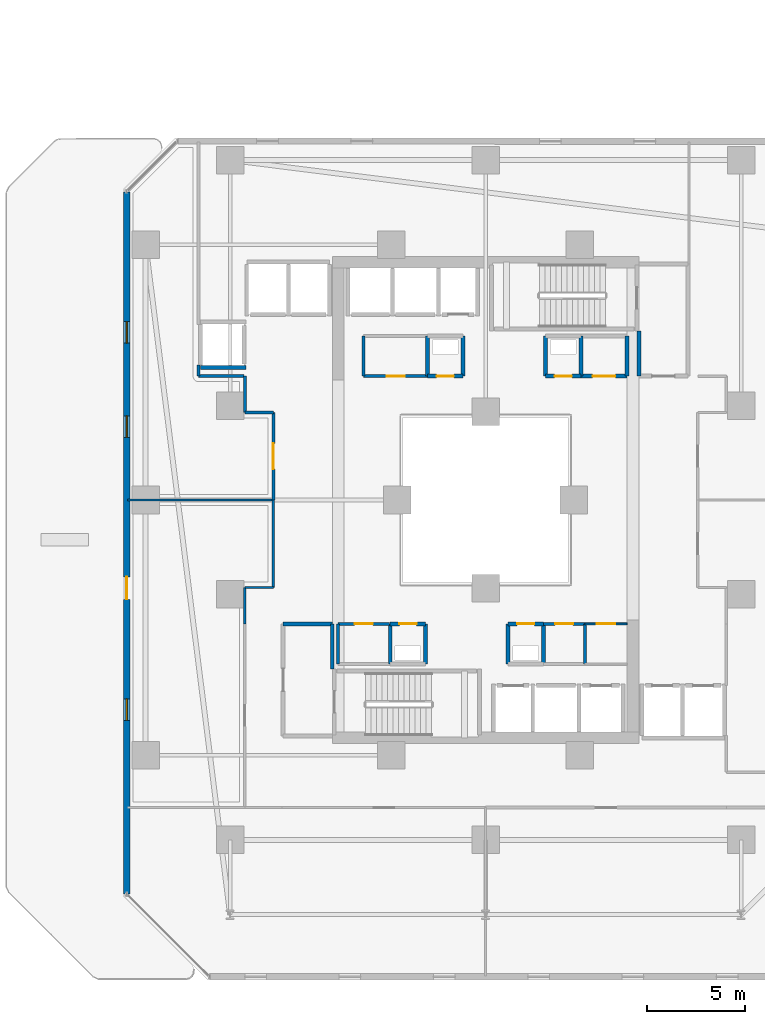
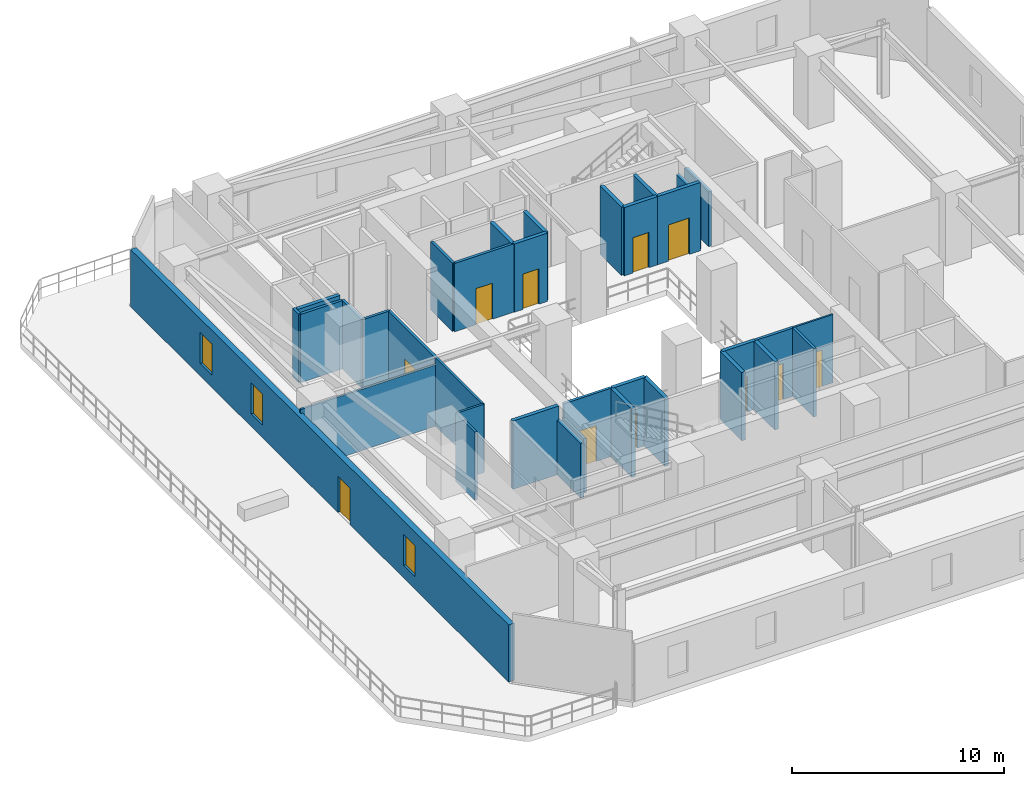
# One storey, part 20 of 33: 35 walls, 11 doors, 3 windows, 14 openings.
"""IFC4 building model written with IfcOpenShell, lengths in metres."""

from ifc_helpers import new_model, si_unit, direction, frame, frame_2d, origin, place, context, subcontext, project, spatial, rectangle, extrude, material, layer, layer_set, type_object, element, fill, save


model = new_model("IFC4")

# Units and contexts
model_context = context("Model", 3, precision=1e-05, world=origin(), true_north=direction((0.0, 1.0)))
body_context = subcontext(model_context, "Body", "Model", "MODEL_VIEW")
ifc_project = project(units=[si_unit("LENGTHUNIT", "METRE"), si_unit("AREAUNIT", "SQUARE_METRE"), si_unit("VOLUMEUNIT", "CUBIC_METRE"), si_unit("PLANEANGLEUNIT", "RADIAN"), si_unit("MASSUNIT", "GRAM", prefix="KILO")], contexts=[model_context])

# Site, building, storey
site_placement = place(None, origin())
site = spatial("IfcSite", under=ifc_project, at=site_placement, CompositionType="ELEMENT")
building_placement = place(site_placement, origin())
building = spatial("IfcBuilding", under=site, at=building_placement, Name="Thornwick Lancets Civic Towers", CompositionType="ELEMENT")
storey_placement = place(building_placement, frame((0.0, 0.0, 49.5)))
storey = spatial("IfcBuildingStorey", under=building, at=storey_placement, Name="L12", CompositionType="ELEMENT", Elevation=49.5)

# Walls
ifc_material_1 = material(Name="Concrete blockwork C40/50", Category="masonry")
ifc_layer_1 = layer(ifc_material_1, 0.199951171875, Name="Concrete blockwork C40/50")
ifc_layer_set_1 = layer_set([ifc_layer_1], Name="Concrete blockwork C40/50")
wall_type_1 = type_object("IfcWallType", Name="WALL_COMP_200", PredefinedType="STANDARD", material=ifc_layer_set_1)
wall_1_placement = place(storey_placement, frame((11.001953125, 33.75, 0.0), z_axis=(0.0, 0.0, 1.0), x_axis=(1.0, 0.0, 0.0)))
element("IfcWall", 1, at=wall_1_placement, inside=storey, type_object=wall_type_1, Name="L12 Hoistway Shaft Wall PL-AM3 S", PredefinedType="STANDARD", context=body_context, shape_type="SweptSolid", body=[
    extrude(rectangle(XDim=2.296142578125, YDim=0.199951171875, at=frame_2d((1.14794921875, 0.0))), origin(), (0.0, 0.0, 1.0), 3.93994140625),
])
wall_2_placement = place(storey_placement, frame((17.699951171875, 18.39990234375, 0.0), z_axis=(0.0, 0.0, 1.0), x_axis=(0.0, 1.0, 0.0)))
element("IfcWall", 2, at=wall_2_placement, inside=storey, type_object=wall_type_1, Name="L12 Partition L12-A-FFLOB1 E2", PredefinedType="STANDARD", context=body_context, shape_type="SweptSolid", body=[
    extrude(rectangle(XDim=2.300048828125, YDim=0.199951171875, at=frame_2d((1.14990234375, 0.0))), origin(), (0.0, 0.0, 1.0), 3.14501953125),
])
wall_3_placement = place(storey_placement, frame((17.699951171875, 20.699951171875, 0.0), z_axis=(0.0, 0.0, 1.0), x_axis=(-1.0, 0.0, 0.0)))
element("IfcWall", 3, at=wall_3_placement, inside=storey, type_object=wall_type_1, Name="L12 Partition L12-A-FFLOB1 E3", PredefinedType="STANDARD", context=body_context, shape_type="SweptSolid", body=[
    extrude(rectangle(XDim=2.5, YDim=0.199951171875, at=frame_2d((1.25, 0.0))), origin(), (0.0, 0.0, 1.0), 3.93994140625),
])
wall_4_placement = place(storey_placement, frame((33.300048828125, 35.60009765625, 0.0), z_axis=(0.0, 0.0, 1.0), x_axis=(0.0, -1.0, 0.0)))
element("IfcWall", 4, at=wall_4_placement, inside=storey, type_object=wall_type_1, Name="L12 Partition L12-A-FFLOB2 E4", PredefinedType="STANDARD", context=body_context, shape_type="SweptSolid", body=[
    extrude(rectangle(XDim=2.300048828125, YDim=0.199951171875, at=frame_2d((1.14990234375, 0.0))), origin(), (0.0, 0.0, 1.0), 3.14501953125),
])
wall_5_placement = place(storey_placement, frame((28.449951171875, 18.64990234375, 0.0), z_axis=(0.0, 0.0, 1.0), x_axis=(0.0, 1.0, 0.0)))
element("IfcWall", 5, at=wall_5_placement, inside=storey, type_object=wall_type_1, Name="L12 Partition L12-A-DUCT1 E2", PredefinedType="STANDARD", context=body_context, shape_type="SweptSolid", body=[
    extrude(rectangle(XDim=2.050048828125, YDim=0.199951171875, at=frame_2d((1.02490234375, 0.0))), origin(), (0.0, 0.0, 1.0), 3.93994140625),
])

# Wall, opening, door
wall_6_placement = place(storey_placement, frame((28.449951171875, 20.699951171875, 0.0), z_axis=(0.0, 0.0, 1.0), x_axis=(-1.0, 0.0, 0.0)))
wall_6 = element("IfcWall", 6, at=wall_6_placement, inside=storey, type_object=wall_type_1, Name="L12 Partition L12-A-DUCT1 E3", PredefinedType="STANDARD", context=body_context, shape_type="SweptSolid", body=[
    extrude(rectangle(XDim=1.800048828125, YDim=0.199951171875, at=frame_2d((0.89990234375, 0.0))), origin(), (0.0, 0.0, 1.0), 3.93994140625),
])
opening_1_placement = place(wall_6_placement, frame((0.4599609375, 0.0, 0.0)))
opening_1 = element("IfcOpeningElement", 7, at=opening_1_placement, cuts=wall_6, Name="Opening D-L12-0589", PredefinedType="OPENING", context=body_context, shape_type="SweptSolid", body=[
    extrude(rectangle(XDim=0.8798828125, YDim=2.0400390625, at=frame_2d((0.43994140625, 1.02001953125))), frame((0.0, 0.10986328125, 0.0), z_axis=(0.0, -1.0, 0.0), x_axis=(1.0, 0.0, 0.0)), (0.0, 0.0, 1.0), 0.219970703125),
])
ifc_material_2 = material(Name="Steel riser access doorset", Category="steel")
door_type_1 = type_object("IfcDoorType", Name="DOOR_RISER_850", OperationType="NOTDEFINED", PredefinedType="DOOR", material=ifc_material_2)
door_1_placement = place(opening_1_placement, origin())
door_1 = element("IfcDoor", 8, at=door_1_placement, inside=storey, type_object=door_type_1, Name="L12 South Service Duct 1 Door", OperationType="SINGLE_SWING_RIGHT", OverallHeight=2.0400390625, OverallWidth=0.8798828125, PredefinedType="DOOR", context=body_context, shape_type="SweptSolid", body=[
    extrude(rectangle(XDim=0.8798828125, YDim=2.0400390625, at=frame_2d((0.43994140625, 1.02001953125))), frame((0.0, 0.02490234375, 0.0), z_axis=(0.0, -1.0, 0.0), x_axis=(1.0, 0.0, 0.0)), (0.0, 0.0, 1.0), 0.050048828125),
])
fill(opening_1, door_1)

# Walls
for number, where, z_axis, x_axis, name in (
    (9, (26.64990234375, 20.699951171875, 0.0), (0.0, 0.0, 1.0), (0.0, -1.0, 0.0), "L12 Partition L12-A-DUCT1 E4"),
    (10, (22.449951171875, 18.64990234375, 0.0), (0.0, 0.0, 1.0), (0.0, 1.0, 0.0), "L12 Partition L12-A-RISER1 E2"),
):
    element("IfcWall", number, at=place(storey_placement, frame(where, z_axis=z_axis, x_axis=x_axis)), inside=storey, type_object=wall_type_1, Name=name, PredefinedType="STANDARD", context=body_context, shape_type="SweptSolid", body=[
        extrude(rectangle(XDim=2.050048828125, YDim=0.199951171875, at=frame_2d((1.02490234375, 0.0))), origin(), (0.0, 0.0, 1.0), 3.93994140625),
    ])

# Wall, opening, door
wall_7_placement = place(storey_placement, frame((22.449951171875, 20.699951171875, 0.0), z_axis=(0.0, 0.0, 1.0), x_axis=(-1.0, 0.0, 0.0)))
wall_7 = element("IfcWall", 11, at=wall_7_placement, inside=storey, type_object=wall_type_1, Name="L12 Partition L12-A-RISER1 E3", PredefinedType="STANDARD", context=body_context, shape_type="SweptSolid", body=[
    extrude(rectangle(XDim=1.800048828125, YDim=0.199951171875, at=frame_2d((0.89990234375, 0.0))), origin(), (0.0, 0.0, 1.0), 3.93994140625),
])
opening_2_placement = place(wall_7_placement, frame((0.4599609375, 0.0, 0.0)))
opening_2 = element("IfcOpeningElement", 12, at=opening_2_placement, cuts=wall_7, Name="Opening D-L12-0590", PredefinedType="OPENING", context=body_context, shape_type="SweptSolid", body=[
    extrude(rectangle(XDim=0.8798828125, YDim=2.0400390625, at=frame_2d((0.43994140625, 1.02001953125))), frame((0.0, 0.10986328125, 0.0), z_axis=(0.0, -1.0, 0.0), x_axis=(1.0, 0.0, 0.0)), (0.0, 0.0, 1.0), 0.219970703125),
])
door_2_placement = place(opening_2_placement, origin())
door_2 = element("IfcDoor", 13, at=door_2_placement, inside=storey, type_object=door_type_1, Name="L12 South Electrical Riser 1 Door", OperationType="SINGLE_SWING_LEFT", OverallHeight=2.0400390625, OverallWidth=0.8798828125, PredefinedType="DOOR", context=body_context, shape_type="SweptSolid", body=[
    extrude(rectangle(XDim=0.8798828125, YDim=2.0400390625, at=frame_2d((0.43994140625, 1.02001953125))), frame((0.0, 0.02490234375, 0.0), z_axis=(0.0, -1.0, 0.0), x_axis=(1.0, 0.0, 0.0)), (0.0, 0.0, 1.0), 0.050048828125),
])
fill(opening_2, door_2)

# Wall
wall_8_placement = place(storey_placement, frame((20.64990234375, 20.699951171875, 0.0), z_axis=(0.0, 0.0, 1.0), x_axis=(0.0, -1.0, 0.0)))
element("IfcWall", 14, at=wall_8_placement, inside=storey, type_object=wall_type_1, Name="L12 Partition L12-A-RISER1 E4", PredefinedType="STANDARD", context=body_context, shape_type="SweptSolid", body=[
    extrude(rectangle(XDim=2.050048828125, YDim=0.199951171875, at=frame_2d((1.02490234375, 0.0))), origin(), (0.0, 0.0, 1.0), 3.93994140625),
])

# Wall, opening, door
wall_9_placement = place(storey_placement, frame((22.550048828125, 33.300048828125, 0.0), z_axis=(0.0, 0.0, 1.0), x_axis=(1.0, 0.0, 0.0)))
wall_9 = element("IfcWall", 15, at=wall_9_placement, inside=storey, type_object=wall_type_1, Name="L12 Partition L12-A-DUCT2 E1", PredefinedType="STANDARD", context=body_context, shape_type="SweptSolid", body=[
    extrude(rectangle(XDim=1.800048828125, YDim=0.199951171875, at=frame_2d((0.89990234375, 0.0))), origin(), (0.0, 0.0, 1.0), 3.93994140625),
])
opening_3_placement = place(wall_9_placement, frame((0.4599609375, 0.0, 0.0)))
opening_3 = element("IfcOpeningElement", 16, at=opening_3_placement, cuts=wall_9, Name="Opening D-L12-0591", PredefinedType="OPENING", context=body_context, shape_type="SweptSolid", body=[
    extrude(rectangle(XDim=0.8798828125, YDim=2.0400390625, at=frame_2d((0.43994140625, 1.02001953125))), frame((0.0, 0.10986328125, 0.0), z_axis=(0.0, -1.0, 0.0), x_axis=(1.0, 0.0, 0.0)), (0.0, 0.0, 1.0), 0.219970703125),
])
door_3_placement = place(opening_3_placement, origin())
door_3 = element("IfcDoor", 17, at=door_3_placement, inside=storey, type_object=door_type_1, Name="L12 North Service Duct 2 Door", OperationType="SINGLE_SWING_RIGHT", OverallHeight=2.0400390625, OverallWidth=0.8798828125, PredefinedType="DOOR", context=body_context, shape_type="SweptSolid", body=[
    extrude(rectangle(XDim=0.8798828125, YDim=2.0400390625, at=frame_2d((0.43994140625, 1.02001953125))), frame((0.0, 0.02490234375, 0.0), z_axis=(0.0, -1.0, 0.0), x_axis=(1.0, 0.0, 0.0)), (0.0, 0.0, 1.0), 0.050048828125),
])
fill(opening_3, door_3)

# Walls
for number, where, z_axis, x_axis, name in (
    (18, (24.35009765625, 33.300048828125, 0.0), (0.0, 0.0, 1.0), (0.0, 1.0, 0.0), "L12 Partition L12-A-DUCT2 E2"),
    (19, (22.550048828125, 35.35009765625, 0.0), (0.0, 0.0, 1.0), (0.0, -1.0, 0.0), "L12 Partition L12-A-DUCT2 E4"),
):
    element("IfcWall", number, at=place(storey_placement, frame(where, z_axis=z_axis, x_axis=x_axis)), inside=storey, type_object=wall_type_1, Name=name, PredefinedType="STANDARD", context=body_context, shape_type="SweptSolid", body=[
        extrude(rectangle(XDim=2.050048828125, YDim=0.199951171875, at=frame_2d((1.02490234375, 0.0))), origin(), (0.0, 0.0, 1.0), 3.93994140625),
    ])

# Wall, opening, door
wall_10_placement = place(storey_placement, frame((28.550048828125, 33.300048828125, 0.0), z_axis=(0.0, 0.0, 1.0), x_axis=(1.0, 0.0, 0.0)))
wall_10 = element("IfcWall", 20, at=wall_10_placement, inside=storey, type_object=wall_type_1, Name="L12 Partition L12-A-RISER2 E1", PredefinedType="STANDARD", context=body_context, shape_type="SweptSolid", body=[
    extrude(rectangle(XDim=1.800048828125, YDim=0.199951171875, at=frame_2d((0.89990234375, 0.0))), origin(), (0.0, 0.0, 1.0), 3.93994140625),
])
opening_4_placement = place(wall_10_placement, frame((0.4599609375, 0.0, 0.0)))
opening_4 = element("IfcOpeningElement", 21, at=opening_4_placement, cuts=wall_10, Name="Opening D-L12-0592", PredefinedType="OPENING", context=body_context, shape_type="SweptSolid", body=[
    extrude(rectangle(XDim=0.8798828125, YDim=2.0400390625, at=frame_2d((0.43994140625, 1.02001953125))), frame((0.0, 0.10986328125, 0.0), z_axis=(0.0, -1.0, 0.0), x_axis=(1.0, 0.0, 0.0)), (0.0, 0.0, 1.0), 0.219970703125),
])
door_4_placement = place(opening_4_placement, origin())
door_4 = element("IfcDoor", 22, at=door_4_placement, inside=storey, type_object=door_type_1, Name="L12 North Service Riser 2 Door", OperationType="SINGLE_SWING_LEFT", OverallHeight=2.0400390625, OverallWidth=0.8798828125, PredefinedType="DOOR", context=body_context, shape_type="SweptSolid", body=[
    extrude(rectangle(XDim=0.8798828125, YDim=2.0400390625, at=frame_2d((0.43994140625, 1.02001953125))), frame((0.0, 0.02490234375, 0.0), z_axis=(0.0, -1.0, 0.0), x_axis=(1.0, 0.0, 0.0)), (0.0, 0.0, 1.0), 0.050048828125),
])
fill(opening_4, door_4)

# Walls
for number, where, z_axis, x_axis, name in (
    (23, (30.35009765625, 33.300048828125, 0.0), (0.0, 0.0, 1.0), (0.0, 1.0, 0.0), "L12 Partition L12-A-RISER2 E2"),
    (24, (28.550048828125, 35.35009765625, 0.0), (0.0, 0.0, 1.0), (0.0, -1.0, 0.0), "L12 Partition L12-A-RISER2 E4"),
):
    element("IfcWall", number, at=place(storey_placement, frame(where, z_axis=z_axis, x_axis=x_axis)), inside=storey, type_object=wall_type_1, Name=name, PredefinedType="STANDARD", context=body_context, shape_type="SweptSolid", body=[
        extrude(rectangle(XDim=2.050048828125, YDim=0.199951171875, at=frame_2d((1.02490234375, 0.0))), origin(), (0.0, 0.0, 1.0), 3.93994140625),
    ])
wall_11_placement = place(storey_placement, frame((32.699951171875, 35.35009765625, 0.0), z_axis=(0.0, 0.0, 1.0), x_axis=(0.0, -1.0, 0.0)))
element("IfcWall", 25, at=wall_11_placement, inside=storey, type_object=wall_type_1, Name="L12 Partition L12-A-STR E1", PredefinedType="STANDARD", context=body_context, shape_type="SweptSolid", body=[
    extrude(rectangle(XDim=2.050048828125, YDim=0.199951171875, at=frame_2d((1.02490234375, 0.0))), origin(), (0.0, 0.0, 1.0), 3.14501953125),
])

# Wall, opening, door
wall_12_placement = place(storey_placement, frame((32.699951171875, 33.300048828125, 0.0), z_axis=(0.0, 0.0, 1.0), x_axis=(-1.0, 0.0, 0.0)))
wall_12 = element("IfcWall", 26, at=wall_12_placement, inside=storey, type_object=wall_type_1, Name="L12 Partition L12-A-STR E2", PredefinedType="STANDARD", context=body_context, shape_type="SweptSolid", body=[
    extrude(rectangle(XDim=2.349853515625, YDim=0.199951171875, at=frame_2d((1.1748046875, 0.0))), origin(), (0.0, 0.0, 1.0), 3.93994140625),
])
opening_5_placement = place(wall_12_placement, frame((0.60009765625, 0.0, 0.0)))
opening_5 = element("IfcOpeningElement", 27, at=opening_5_placement, cuts=wall_12, Name="Opening D-L12-0597", PredefinedType="OPENING", context=body_context, shape_type="SweptSolid", body=[
    extrude(rectangle(XDim=1.14990234375, YDim=2.10009765625, at=frame_2d((0.574951171875, 1.050048828125))), frame((0.0, 0.10986328125, 0.0), z_axis=(0.0, -1.0, 0.0), x_axis=(1.0, 0.0, 0.0)), (0.0, 0.0, 1.0), 0.219970703125),
])
ifc_material_3 = material(Name="Glazed fire-resisting steel", Category="steel")
door_type_2 = type_object("IfcDoorType", Name="DOOR_LOBBY_FD60", OperationType="NOTDEFINED", PredefinedType="DOOR", material=ifc_material_3)
door_5_placement = place(opening_5_placement, origin())
door_5 = element("IfcDoor", 28, at=door_5_placement, inside=storey, type_object=door_type_2, Name="L12 Tower A Core Equipment Store Door", OperationType="SINGLE_SWING_RIGHT", OverallHeight=2.10009765625, OverallWidth=1.14990234375, PredefinedType="DOOR", context=body_context, shape_type="SweptSolid", body=[
    extrude(rectangle(XDim=1.14990234375, YDim=2.10009765625, at=frame_2d((0.574951171875, 1.050048828125))), frame((0.0, 0.02490234375, 0.0), z_axis=(0.0, -1.0, 0.0), x_axis=(1.0, 0.0, 0.0)), (0.0, 0.0, 1.0), 0.050048828125),
])
fill(opening_5, door_5)

# Wall, openings, door, windows
ifc_material_4 = material(Name="Insulated buff terracotta rainscreen on concrete C40/50", Category="masonry")
ifc_layer_2 = layer(ifc_material_4, 0.320068359375, Name="Insulated buff terracotta rainscreen on concrete C40/50")
ifc_layer_set_2 = layer_set([ifc_layer_2], Name="Insulated buff terracotta rainscreen on concrete C40/50")
wall_type_2 = type_object("IfcWallType", Name="WALL_EXT_TERRA_320", PredefinedType="STANDARD", material=ifc_layer_set_2)
wall_13_placement = place(storey_placement, frame((7.235107421875, 42.68115234375, 0.0), z_axis=(0.0, 0.0, 1.0), x_axis=(0.000150313265, -0.999999988703, 0.0)))
wall_13 = element("IfcWall", 29, at=wall_13_placement, inside=storey, type_object=wall_type_2, Name="L12 Tower A Terracotta Facade Wall E6", PredefinedType="STANDARD", context=body_context, shape_type="SweptSolid", body=[
    extrude(rectangle(XDim=35.732666015625, YDim=0.320068359375, at=frame_2d((17.8662109375, 0.0))), origin(), (0.0, 0.0, 1.0), 3.300048828125),
])
opening_6_placement = place(wall_13_placement, frame((19.59130859375, 0.0, 0.0)))
opening_6 = element("IfcOpeningElement", 30, at=opening_6_placement, cuts=wall_13, Name="Opening D-SG-L12-A6", PredefinedType="OPENING", context=body_context, shape_type="SweptSolid", body=[
    extrude(rectangle(XDim=1.14990234375, YDim=2.10009765625, at=frame_2d((0.574951171875, 1.050048828125))), frame((0.0, 0.169921875, 0.0), z_axis=(0.0, -1.0, 0.0), x_axis=(1.0, 0.0, 0.0)), (0.0, 0.0, 1.0), 0.340087890625),
])
opening_7_placement = place(wall_13_placement, frame((6.60009765625, 0.0, 0.719970703125)))
opening_7 = element("IfcOpeningElement", 31, at=opening_7_placement, cuts=wall_13, Name="Opening WL-02", PredefinedType="OPENING", context=body_context, shape_type="SweptSolid", body=[
    extrude(rectangle(XDim=1.10009765625, YDim=1.800048828125, at=frame_2d((0.550048828125, 0.89990234375))), frame((0.0, 0.169921875, 0.0), z_axis=(0.0, -1.0, 0.0), x_axis=(1.0, 0.0, 0.0)), (0.0, 0.0, 1.0), 0.340087890625),
])
opening_8_placement = place(wall_13_placement, frame((11.39990234375, 0.0, 0.719970703125)))
opening_8 = element("IfcOpeningElement", 32, at=opening_8_placement, cuts=wall_13, Name="Opening WL-02", PredefinedType="OPENING", context=body_context, shape_type="SweptSolid", body=[
    extrude(rectangle(XDim=1.10009765625, YDim=1.800048828125, at=frame_2d((0.550048828125, 0.89990234375))), frame((0.0, 0.169921875, 0.0), z_axis=(0.0, -1.0, 0.0), x_axis=(1.0, 0.0, 0.0)), (0.0, 0.0, 1.0), 0.340087890625),
])
opening_9_placement = place(wall_13_placement, frame((25.800048828125, 0.0, 0.719970703125)))
opening_9 = element("IfcOpeningElement", 33, at=opening_9_placement, cuts=wall_13, Name="Opening WL-02", PredefinedType="OPENING", context=body_context, shape_type="SweptSolid", body=[
    extrude(rectangle(XDim=1.10009765625, YDim=1.800048828125, at=frame_2d((0.550048828125, 0.89990234375))), frame((0.0, 0.169921875, 0.0), z_axis=(0.0, -1.0, 0.0), x_axis=(1.0, 0.0, 0.0)), (0.0, 0.0, 1.0), 0.340087890625),
])
ifc_material_5 = material(Name="Thermally broken glazed terrace doorset")
door_type_3 = type_object("IfcDoorType", Name="DOOR_TERRACE_1200", OperationType="NOTDEFINED", PredefinedType="DOOR", material=ifc_material_5)
door_6_placement = place(opening_6_placement, origin())
door_6 = element("IfcDoor", 34, at=door_6_placement, inside=storey, type_object=door_type_3, Name="L12 Tower A Sky-Garden Terrace Door", OperationType="SINGLE_SWING_RIGHT", OverallHeight=2.10009765625, OverallWidth=1.14990234375, PredefinedType="DOOR", context=body_context, shape_type="SweptSolid", body=[
    extrude(rectangle(XDim=1.14990234375, YDim=2.10009765625, at=frame_2d((0.574951171875, 1.050048828125))), frame((0.0, 0.02490234375, 0.0), z_axis=(0.0, -1.0, 0.0), x_axis=(1.0, 0.0, 0.0)), (0.0, 0.0, 1.0), 0.050048828125),
])
fill(opening_6, door_6)
ifc_material_6 = material(Name="Clear low-e double glazing in bronze frame", Category="glass")
window_type = type_object("IfcWindowType", Name="WIN_LANCET_1100", PartitioningType="SINGLE_PANEL", PredefinedType="WINDOW", material=ifc_material_6)
window_1_placement = place(opening_7_placement, origin())
window_1 = element("IfcWindow", 35, at=window_1_placement, inside=storey, type_object=window_type, Name="L12 Tower A Staggered Lancet Window E6-1", OverallHeight=1.800048828125, OverallWidth=1.10009765625, PartitioningType="SINGLE_PANEL", PredefinedType="WINDOW", context=body_context, shape_type="SweptSolid", body=[
    extrude(rectangle(XDim=1.10009765625, YDim=1.800048828125, at=frame_2d((0.550048828125, 0.89990234375))), frame((0.0, 0.030029296875, 0.0), z_axis=(0.0, -1.0, 0.0), x_axis=(1.0, 0.0, 0.0)), (0.0, 0.0, 1.0), 0.06005859375),
])
fill(opening_7, window_1)
window_2_placement = place(opening_8_placement, origin())
window_2 = element("IfcWindow", 36, at=window_2_placement, inside=storey, type_object=window_type, Name="L12 Tower A Staggered Lancet Window E6-2", OverallHeight=1.800048828125, OverallWidth=1.10009765625, PartitioningType="SINGLE_PANEL", PredefinedType="WINDOW", context=body_context, shape_type="SweptSolid", body=[
    extrude(rectangle(XDim=1.10009765625, YDim=1.800048828125, at=frame_2d((0.550048828125, 0.89990234375))), frame((0.0, 0.030029296875, 0.0), z_axis=(0.0, -1.0, 0.0), x_axis=(1.0, 0.0, 0.0)), (0.0, 0.0, 1.0), 0.06005859375),
])
fill(opening_8, window_2)
window_3_placement = place(opening_9_placement, origin())
window_3 = element("IfcWindow", 37, at=window_3_placement, inside=storey, type_object=window_type, Name="L12 Tower A Staggered Lancet Window E6-3", OverallHeight=1.800048828125, OverallWidth=1.10009765625, PartitioningType="SINGLE_PANEL", PredefinedType="WINDOW", context=body_context, shape_type="SweptSolid", body=[
    extrude(rectangle(XDim=1.10009765625, YDim=1.800048828125, at=frame_2d((0.550048828125, 0.89990234375))), frame((0.0, 0.030029296875, 0.0), z_axis=(0.0, -1.0, 0.0), x_axis=(1.0, 0.0, 0.0)), (0.0, 0.0, 1.0), 0.06005859375),
])
fill(opening_9, window_3)

# Wall, opening, door
ifc_material_7 = material(Name="Lightweight cellular office partition")
ifc_layer_3 = layer(ifc_material_7, 0.10009765625, Name="Lightweight cellular office partition")
ifc_layer_set_3 = layer_set([ifc_layer_3], Name="Lightweight cellular office partition")
wall_type_3 = type_object("IfcWallType", Name="WALL_PART_100", PredefinedType="PARTITIONING", material=ifc_layer_set_3)
wall_14_placement = place(storey_placement, frame((30.550048828125, 20.699951171875, 0.0), z_axis=(0.0, 0.0, 1.0), x_axis=(1.0, 0.0, 0.0)))
wall_14 = element("IfcWall", 38, at=wall_14_placement, inside=storey, type_object=wall_type_3, Name="L12 Partition L12-A-CLN E4", PredefinedType="PARTITIONING", context=body_context, shape_type="SweptSolid", body=[
    extrude(rectangle(XDim=2.14990234375, YDim=0.10009765625, at=frame_2d((1.074951171875, 0.0))), origin(), (0.0, 0.0, 1.0), 3.93994140625),
])
opening_10_placement = place(wall_14_placement, frame((0.60009765625, 0.0, 0.0)))
opening_10 = element("IfcOpeningElement", 39, at=opening_10_placement, cuts=wall_14, Name="Opening D-L12-0595", PredefinedType="OPENING", context=body_context, shape_type="SweptSolid", body=[
    extrude(rectangle(XDim=0.949951171875, YDim=2.10009765625, at=frame_2d((0.47509765625, 1.050048828125))), frame((0.0, 0.06005859375, 0.0), z_axis=(0.0, -1.0, 0.0), x_axis=(1.0, 0.0, 0.0)), (0.0, 0.0, 1.0), 0.1201171875),
])
ifc_material_8 = material(Name="European oak acoustic doorset")
door_type_4 = type_object("IfcDoorType", Name="DOOR_OFFICE_950", OperationType="NOTDEFINED", PredefinedType="DOOR", material=ifc_material_8)
door_7_placement = place(opening_10_placement, origin())
door_7 = element("IfcDoor", 40, at=door_7_placement, inside=storey, type_object=door_type_4, Name="L12 Tower A Cleaners Store Door", OperationType="SINGLE_SWING_RIGHT", OverallHeight=2.10009765625, OverallWidth=0.949951171875, PredefinedType="DOOR", context=body_context, shape_type="SweptSolid", body=[
    extrude(rectangle(XDim=0.949951171875, YDim=2.10009765625, at=frame_2d((0.47509765625, 1.050048828125))), frame((0.0, 0.02490234375, 0.0), z_axis=(0.0, -1.0, 0.0), x_axis=(1.0, 0.0, 0.0)), (0.0, 0.0, 1.0), 0.050048828125),
])
fill(opening_10, door_7)

# Walls
ifc_material_9 = material(Name="Acoustic gypsum board partition")
ifc_layer_4 = layer(ifc_material_9, 0.1201171875, Name="Acoustic gypsum board partition")
ifc_layer_set_4 = layer_set([ifc_layer_4], Name="Acoustic gypsum board partition")
wall_type_4 = type_object("IfcWallType", Name="WALL_PART_120", PredefinedType="PARTITIONING", material=ifc_layer_set_4)
wall_15_placement = place(storey_placement, frame((14.699951171875, 27.0, 0.0), z_axis=(0.0, 0.0, 1.0), x_axis=(0.0, -1.0, 0.0)))
element("IfcWall", 41, at=wall_15_placement, inside=storey, type_object=wall_type_4, Name="L12 Partition L12-A-W1 E1", PredefinedType="PARTITIONING", context=body_context, shape_type="SweptSolid", body=[
    extrude(rectangle(XDim=4.449951171875, YDim=0.1201171875, at=frame_2d((2.22509765625, 0.0))), origin(), (0.0, 0.0, 1.0), 3.93994140625),
])
wall_16_placement = place(storey_placement, frame((14.699951171875, 22.550048828125, 0.0), z_axis=(0.0, 0.0, 1.0), x_axis=(-1.0, 0.0, 0.0)))
element("IfcWall", 42, at=wall_16_placement, inside=storey, type_object=wall_type_4, Name="L12 Partition L12-A-W1 E2", PredefinedType="PARTITIONING", context=body_context, shape_type="SweptSolid", body=[
    extrude(rectangle(XDim=1.449951171875, YDim=0.1201171875, at=frame_2d((0.72509765625, 0.0))), origin(), (0.0, 0.0, 1.0), 3.93994140625),
])
wall_17_placement = place(storey_placement, frame((13.25, 22.550048828125, 0.0), z_axis=(0.0, 0.0, 1.0), x_axis=(0.0, -1.0, 0.0)))
element("IfcWall", 43, at=wall_17_placement, inside=storey, type_object=wall_type_4, Name="L12 Partition L12-A-W1 E3", PredefinedType="PARTITIONING", context=body_context, shape_type="SweptSolid", body=[
    extrude(rectangle(XDim=1.85009765625, YDim=0.1201171875, at=frame_2d((0.925048828125, 0.0))), origin(), (0.0, 0.0, 1.0), 3.93994140625),
])
wall_18_placement = place(storey_placement, frame((7.280029296875, 27.0, 0.0), z_axis=(0.0, 0.0, 1.0), x_axis=(1.0, 0.0, 0.0)))
element("IfcWall", 44, at=wall_18_placement, inside=storey, type_object=wall_type_4, Name="L12 Partition L12-A-W1 E7", PredefinedType="PARTITIONING", context=body_context, shape_type="SweptSolid", body=[
    extrude(rectangle(XDim=7.419921875, YDim=0.1201171875, at=frame_2d((3.7099609375, 0.0))), origin(), (0.0, 0.0, 1.0), 3.5322265625),
])

# Wall, opening, door
ifc_material_10 = material(Name="Twin-stud acoustic gypsum board")
ifc_layer_5 = layer(ifc_material_10, 0.14990234375, Name="Twin-stud acoustic gypsum board")
ifc_layer_set_5 = layer_set([ifc_layer_5], Name="Twin-stud acoustic gypsum board")
wall_type_5 = type_object("IfcWallType", Name="WALL_PART_150", PredefinedType="PARTITIONING", material=ifc_layer_set_5)
wall_19_placement = place(storey_placement, frame((20.60009765625, 20.699951171875, 0.0), z_axis=(0.0, 0.0, 1.0), x_axis=(-1.0, 0.0, 0.0)))
wall_19 = element("IfcWall", 45, at=wall_19_placement, inside=storey, type_object=wall_type_5, Name="L12 Partition L12-A-AWC E3", PredefinedType="PARTITIONING", context=body_context, shape_type="SweptSolid", body=[
    extrude(rectangle(XDim=2.60009765625, YDim=0.14990234375, at=frame_2d((1.300048828125, 0.0))), origin(), (0.0, 0.0, 1.0), 3.93994140625),
])
opening_11_placement = place(wall_19_placement, frame((0.840087890625, 0.0, 0.0)))
opening_11 = element("IfcOpeningElement", 46, at=opening_11_placement, cuts=wall_19, Name="Opening D-L12-0593", PredefinedType="OPENING", context=body_context, shape_type="SweptSolid", body=[
    extrude(rectangle(XDim=0.919921875, YDim=2.080078125, at=frame_2d((0.4599609375, 1.0400390625))), frame((0.0, 0.0849609375, 0.0), z_axis=(0.0, -1.0, 0.0), x_axis=(1.0, 0.0, 0.0)), (0.0, 0.0, 1.0), 0.169921875),
])
ifc_material_11 = material(Name="Moisture-resistant oak doorset")
door_type_5 = type_object("IfcDoorType", Name="DOOR_WC_900", OperationType="NOTDEFINED", PredefinedType="DOOR", material=ifc_material_11)
door_8_placement = place(opening_11_placement, origin())
door_8 = element("IfcDoor", 47, at=door_8_placement, inside=storey, type_object=door_type_5, Name="L12 Tower A Accessible WC Door", OperationType="SINGLE_SWING_RIGHT", OverallHeight=2.080078125, OverallWidth=0.919921875, PredefinedType="DOOR", context=body_context, shape_type="SweptSolid", body=[
    extrude(rectangle(XDim=0.919921875, YDim=2.080078125, at=frame_2d((0.4599609375, 1.0400390625))), frame((0.0, 0.02490234375, 0.0), z_axis=(0.0, -1.0, 0.0), x_axis=(1.0, 0.0, 0.0)), (0.0, 0.0, 1.0), 0.050048828125),
])
fill(opening_11, door_8)

# Walls
wall_20_placement = place(storey_placement, frame((18.0, 20.699951171875, 0.0), z_axis=(0.0, 0.0, 1.0), x_axis=(0.0, -1.0, 0.0)))
element("IfcWall", 48, at=wall_20_placement, inside=storey, type_object=wall_type_5, Name="L12 Partition L12-A-AWC E4", PredefinedType="PARTITIONING", context=body_context, shape_type="SweptSolid", body=[
    extrude(rectangle(XDim=2.050048828125, YDim=0.14990234375, at=frame_2d((1.02490234375, 0.0))), origin(), (0.0, 0.0, 1.0), 3.14501953125),
])
wall_21_placement = place(storey_placement, frame((30.550048828125, 20.699951171875, 0.0), z_axis=(0.0, 0.0, 1.0), x_axis=(0.0, -1.0, 0.0)))
element("IfcWall", 49, at=wall_21_placement, inside=storey, type_object=wall_type_5, Name="L12 Partition L12-A-MWC E1", PredefinedType="PARTITIONING", context=body_context, shape_type="SweptSolid", body=[
    extrude(rectangle(XDim=2.050048828125, YDim=0.14990234375, at=frame_2d((1.02490234375, 0.0))), origin(), (0.0, 0.0, 1.0), 3.93994140625),
])

# Wall, opening, door
wall_22_placement = place(storey_placement, frame((28.449951171875, 20.699951171875, 0.0), z_axis=(0.0, 0.0, 1.0), x_axis=(1.0, 0.0, 0.0)))
wall_22 = element("IfcWall", 50, at=wall_22_placement, inside=storey, type_object=wall_type_5, Name="L12 Partition L12-A-MWC E4", PredefinedType="PARTITIONING", context=body_context, shape_type="SweptSolid", body=[
    extrude(rectangle(XDim=2.10009765625, YDim=0.14990234375, at=frame_2d((1.050048828125, 0.0))), origin(), (0.0, 0.0, 1.0), 3.93994140625),
])
opening_12_placement = place(wall_22_placement, frame((0.590087890625, 0.0, 0.0)))
opening_12 = element("IfcOpeningElement", 51, at=opening_12_placement, cuts=wall_22, Name="Opening D-L12-0594", PredefinedType="OPENING", context=body_context, shape_type="SweptSolid", body=[
    extrude(rectangle(XDim=0.919921875, YDim=2.080078125, at=frame_2d((0.4599609375, 1.0400390625))), frame((0.0, 0.0849609375, 0.0), z_axis=(0.0, -1.0, 0.0), x_axis=(1.0, 0.0, 0.0)), (0.0, 0.0, 1.0), 0.169921875),
])
door_9_placement = place(opening_12_placement, origin())
door_9 = element("IfcDoor", 52, at=door_9_placement, inside=storey, type_object=door_type_5, Name="L12 Tower A Male WC Door", OperationType="SINGLE_SWING_LEFT", OverallHeight=2.080078125, OverallWidth=0.919921875, PredefinedType="DOOR", context=body_context, shape_type="SweptSolid", body=[
    extrude(rectangle(XDim=0.919921875, YDim=2.080078125, at=frame_2d((0.4599609375, 1.0400390625))), frame((0.0, 0.02490234375, 0.0), z_axis=(0.0, -1.0, 0.0), x_axis=(1.0, 0.0, 0.0)), (0.0, 0.0, 1.0), 0.050048828125),
])
fill(opening_12, door_9)

# Wall
wall_23_placement = place(storey_placement, frame((19.300048828125, 33.300048828125, 0.0), z_axis=(0.0, 0.0, 1.0), x_axis=(0.0, 1.0, 0.0)))
element("IfcWall", 53, at=wall_23_placement, inside=storey, type_object=wall_type_5, Name="L12 Partition L12-A-FWC E1", PredefinedType="PARTITIONING", context=body_context, shape_type="SweptSolid", body=[
    extrude(rectangle(XDim=2.050048828125, YDim=0.14990234375, at=frame_2d((1.02490234375, 0.0))), origin(), (0.0, 0.0, 1.0), 3.93994140625),
])

# Wall, opening, door
wall_24_placement = place(storey_placement, frame((22.550048828125, 33.300048828125, 0.0), z_axis=(0.0, 0.0, 1.0), x_axis=(-1.0, 0.0, 0.0)))
wall_24 = element("IfcWall", 54, at=wall_24_placement, inside=storey, type_object=wall_type_5, Name="L12 Partition L12-A-FWC E4", PredefinedType="PARTITIONING", context=body_context, shape_type="SweptSolid", body=[
    extrude(rectangle(XDim=3.25, YDim=0.14990234375, at=frame_2d((1.625, 0.0))), origin(), (0.0, 0.0, 1.0), 3.93994140625),
])
opening_13_placement = place(wall_24_placement, frame((1.1650390625, 0.0, 0.0)))
opening_13 = element("IfcOpeningElement", 55, at=opening_13_placement, cuts=wall_24, Name="Opening D-L12-0596", PredefinedType="OPENING", context=body_context, shape_type="SweptSolid", body=[
    extrude(rectangle(XDim=0.919921875, YDim=2.080078125, at=frame_2d((0.4599609375, 1.0400390625))), frame((0.0, 0.0849609375, 0.0), z_axis=(0.0, -1.0, 0.0), x_axis=(1.0, 0.0, 0.0)), (0.0, 0.0, 1.0), 0.169921875),
])
door_10_placement = place(opening_13_placement, origin())
door_10 = element("IfcDoor", 56, at=door_10_placement, inside=storey, type_object=door_type_5, Name="L12 Tower A Female WC Door", OperationType="SINGLE_SWING_LEFT", OverallHeight=2.080078125, OverallWidth=0.919921875, PredefinedType="DOOR", context=body_context, shape_type="SweptSolid", body=[
    extrude(rectangle(XDim=0.919921875, YDim=2.080078125, at=frame_2d((0.4599609375, 1.0400390625))), frame((0.0, 0.02490234375, 0.0), z_axis=(0.0, -1.0, 0.0), x_axis=(1.0, 0.0, 0.0)), (0.0, 0.0, 1.0), 0.050048828125),
])
fill(opening_13, door_10)

# Walls
wall_25_placement = place(storey_placement, frame((13.25, 33.300048828125, 0.0), z_axis=(0.0, 0.0, 1.0), x_axis=(0.0, -1.0, 0.0)))
element("IfcWall", 57, at=wall_25_placement, inside=storey, type_object=wall_type_5, Name="L12 Partition L12-A-W2 E2", PredefinedType="PARTITIONING", context=body_context, shape_type="SweptSolid", body=[
    extrude(rectangle(XDim=1.85009765625, YDim=0.14990234375, at=frame_2d((0.925048828125, 0.0))), origin(), (0.0, 0.0, 1.0), 3.93994140625),
])
wall_26_placement = place(storey_placement, frame((13.25, 31.449951171875, 0.0), z_axis=(0.0, 0.0, 1.0), x_axis=(1.0, 0.0, 0.0)))
element("IfcWall", 58, at=wall_26_placement, inside=storey, type_object=wall_type_5, Name="L12 Partition L12-A-W2 E3", PredefinedType="PARTITIONING", context=body_context, shape_type="SweptSolid", body=[
    extrude(rectangle(XDim=1.449951171875, YDim=0.14990234375, at=frame_2d((0.72509765625, 0.0))), origin(), (0.0, 0.0, 1.0), 3.93994140625),
])

# Wall, opening, door
wall_27_placement = place(storey_placement, frame((14.699951171875, 31.449951171875, 0.0), z_axis=(0.0, 0.0, 1.0), x_axis=(0.0, -1.0, 0.0)))
wall_27 = element("IfcWall", 59, at=wall_27_placement, inside=storey, type_object=wall_type_5, Name="L12 Partition L12-A-W2 E4", PredefinedType="PARTITIONING", context=body_context, shape_type="SweptSolid", body=[
    extrude(rectangle(XDim=4.449951171875, YDim=0.14990234375, at=frame_2d((2.22509765625, 0.0))), origin(), (0.0, 0.0, 1.0), 3.93994140625),
])
opening_14_placement = place(wall_27_placement, frame((1.574951171875, 0.0, 0.0)))
opening_14 = element("IfcOpeningElement", 60, at=opening_14_placement, cuts=wall_27, Name="Opening D-L12-0610", PredefinedType="OPENING", context=body_context, shape_type="SweptSolid", body=[
    extrude(rectangle(XDim=1.300048828125, YDim=2.1201171875, at=frame_2d((0.64990234375, 1.06005859375))), frame((0.0, 0.0849609375, 0.0), z_axis=(0.0, -1.0, 0.0), x_axis=(1.0, 0.0, 0.0)), (0.0, 0.0, 1.0), 0.169921875),
])
ifc_material_12 = material(Name="Acoustic oak leaf-and-a-half doorset")
door_type_6 = type_object("IfcDoorType", Name="DOOR_MEET_1300", OperationType="DOUBLE_DOOR_SINGLE_SWING", PredefinedType="DOOR", material=ifc_material_12)
door_11_placement = place(opening_14_placement, origin())
door_11 = element("IfcDoor", 61, at=door_11_placement, inside=storey, type_object=door_type_6, Name="L12 Tower A Policy Briefing Room W2 Door", OperationType="DOUBLE_DOOR_SINGLE_SWING", OverallHeight=2.1201171875, OverallWidth=1.300048828125, PredefinedType="DOOR", context=body_context, shape_type="SweptSolid", body=[
    extrude(rectangle(XDim=1.300048828125, YDim=2.1201171875, at=frame_2d((0.64990234375, 1.06005859375))), frame((0.0, 0.02490234375, 0.0), z_axis=(0.0, -1.0, 0.0), x_axis=(1.0, 0.0, 0.0)), (0.0, 0.0, 1.0), 0.050048828125),
])
fill(opening_14, door_11)

# Walls
wall_28_placement = place(storey_placement, frame((10.89990234375, 33.862060546875, 0.0), z_axis=(0.0, 0.0, 1.0), x_axis=(0.0, -1.0, 0.0)))
element("IfcWall", 62, at=wall_28_placement, inside=storey, type_object=wall_type_5, Name="L12 Partition L12-A-W2 E9", PredefinedType="PARTITIONING", context=body_context, shape_type="SweptSolid", body=[
    extrude(rectangle(XDim=0.56201171875, YDim=0.14990234375, at=frame_2d((0.281005859375, 0.0))), origin(), (0.0, 0.0, 1.0), 3.93994140625),
])
wall_29_placement = place(storey_placement, frame((10.89990234375, 33.300048828125, 0.0), z_axis=(0.0, 0.0, 1.0), x_axis=(1.0, 0.0, 0.0)))
element("IfcWall", 63, at=wall_29_placement, inside=storey, type_object=wall_type_5, Name="L12 Partition L12-A-W2 E10", PredefinedType="PARTITIONING", context=body_context, shape_type="SweptSolid", body=[
    extrude(rectangle(XDim=2.300048828125, YDim=0.14990234375, at=frame_2d((1.14990234375, 0.0))), origin(), (0.0, 0.0, 1.0), 3.93994140625),
])

save(model, "model.ifc")
